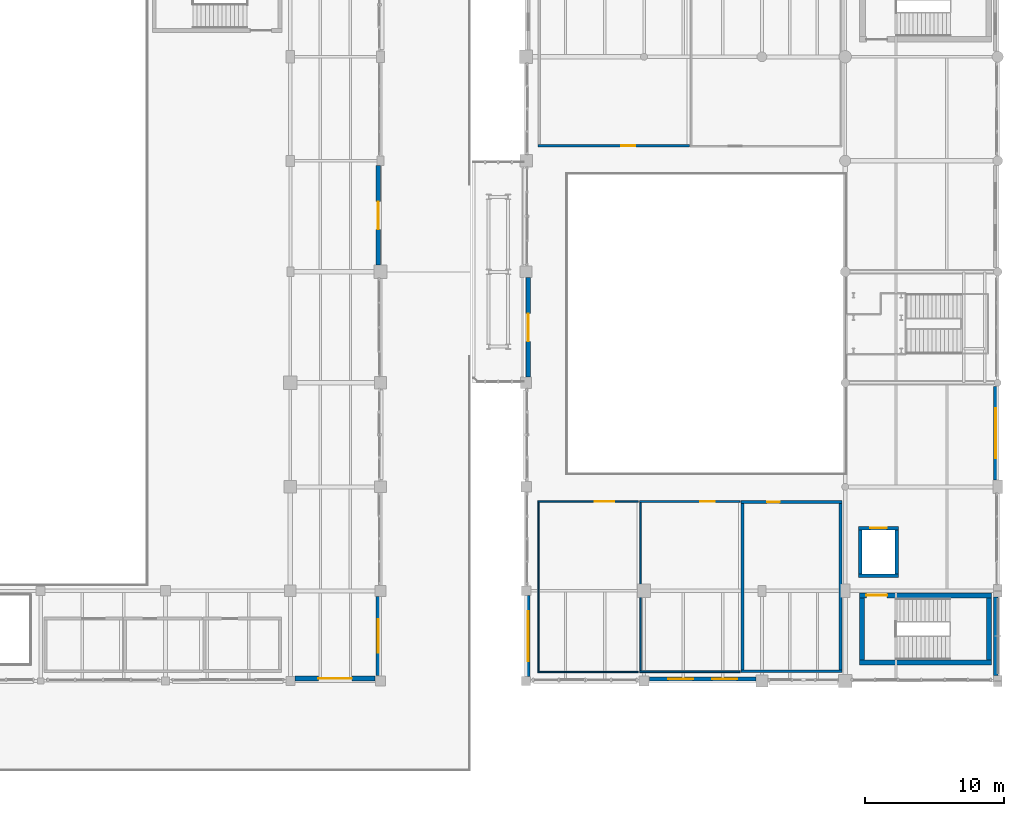
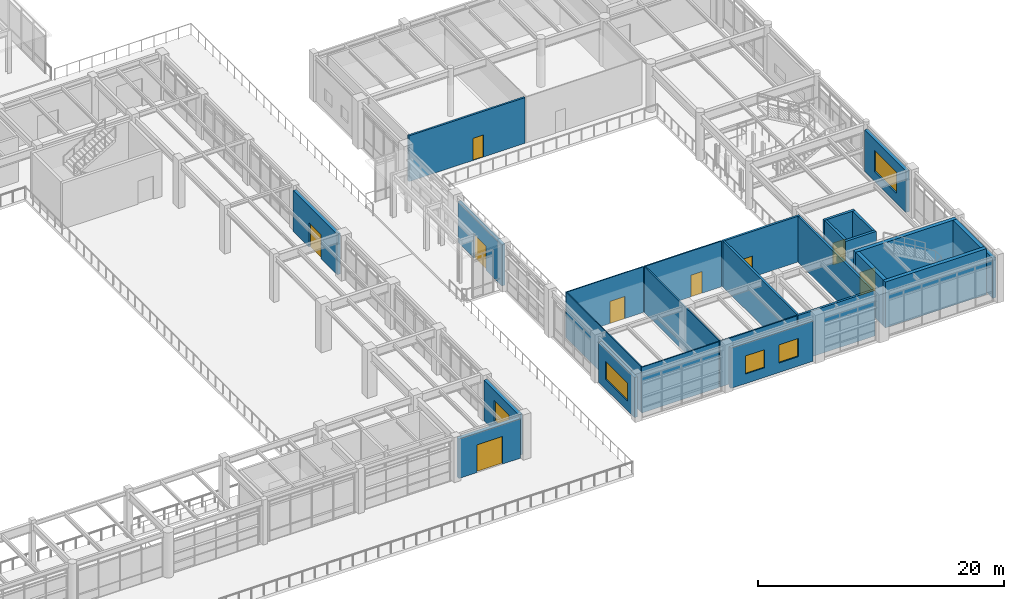
# One storey, part 179 of 200: 27 walls, 9 doors, 5 windows, 14 openings.
"""IFC4 building model written with IfcOpenShell, lengths in metres."""

from ifc_helpers import new_model, si_unit, direction, frame, frame_2d, origin, place, context, subcontext, project, spatial, rectangle, extrude, material, layer, layer_set, type_object, element, fill, save


model = new_model("IFC4")

# Units and contexts
model_context = context("Model", 3, precision=1e-05, world=origin(), true_north=direction((0.0, 1.0)))
body_context = subcontext(model_context, "Body", "Model", "MODEL_VIEW")
ifc_project = project(units=[si_unit("LENGTHUNIT", "METRE"), si_unit("AREAUNIT", "SQUARE_METRE"), si_unit("VOLUMEUNIT", "CUBIC_METRE"), si_unit("PLANEANGLEUNIT", "RADIAN"), si_unit("MASSUNIT", "GRAM", prefix="KILO"), si_unit("THERMODYNAMICTEMPERATUREUNIT", "KELVIN"), si_unit("POWERUNIT", "WATT")], contexts=[model_context])

# Site, building, storey
site_placement = place(None, origin())
site = spatial("IfcSite", under=ifc_project, at=site_placement, CompositionType="ELEMENT")
building_placement = place(site_placement, origin())
building = spatial("IfcBuilding", under=site, at=building_placement, Name="Tepalcoro Natatorium and Aquatics Centre", CompositionType="ELEMENT")
storey_placement = place(building_placement, frame((0.0, 0.0, 5.39990234375)))
storey = spatial("IfcBuildingStorey", under=building, at=storey_placement, Name="L01", CompositionType="ELEMENT", Elevation=5.39990234375)

# Wall, openings, windows
ifc_material_1 = material(Name="Precast Concrete C45/55 (fc 45 MPa)", Category="concrete")
ifc_layer_1 = layer(ifc_material_1, 0.284912109375)
ifc_layer_set_1 = layer_set([ifc_layer_1], Name="Precast Concrete C45/55 (fc 45 MPa)")
wall_type_1 = type_object("IfcWallType", Name="WL_EXT_INSUL_280", PredefinedType="SOLIDWALL", material=ifc_layer_set_1)
wall_1_placement = place(storey_placement, frame((150.87890625, 6.642578125, 0.0), z_axis=(0.0, 0.0, 1.0), x_axis=(1.0, 0.0, 0.0)))
wall_1 = element("IfcWall", 1, at=wall_1_placement, inside=storey, type_object=wall_type_1, Name="V2 L01 S Volcanic Basalt Envelope Wall", PredefinedType="SOLIDWALL", context=body_context, shape_type="SweptSolid", body=[
    extrude(rectangle(XDim=7.692138671875, YDim=0.284912109375, at=frame_2d((3.84619140625, 0.0))), origin(), (0.0, 0.0, 1.0), 3.994140625),
])
opening_1_placement = place(wall_1_placement, frame((1.364013671875, 0.0, 0.949951171875)))
opening_1 = element("IfcOpeningElement", 2, at=opening_1_placement, cuts=wall_1, Name="Opening W0027A", PredefinedType="OPENING", context=body_context, shape_type="SweptSolid", body=[
    extrude(rectangle(XDim=1.800048828125, YDim=1.800048828125, at=frame_2d((0.89990234375, 0.89990234375))), frame((0.0, 0.154296875, 0.0), z_axis=(0.0, -1.0, 0.0), x_axis=(1.0, 0.0, 0.0)), (0.0, 0.0, 1.0), 0.308837890625),
])
opening_2_placement = place(wall_1_placement, frame((4.528076171875, 0.0, 0.949951171875)))
opening_2 = element("IfcOpeningElement", 3, at=opening_2_placement, cuts=wall_1, Name="Opening W0027B", PredefinedType="OPENING", context=body_context, shape_type="SweptSolid", body=[
    extrude(rectangle(XDim=1.800048828125, YDim=1.800048828125, at=frame_2d((0.89990234375, 0.89990234375))), frame((0.0, 0.154296875, 0.0), z_axis=(0.0, -1.0, 0.0), x_axis=(1.0, 0.0, 0.0)), (0.0, 0.0, 1.0), 0.308837890625),
])
ifc_material_2 = material(Name="Solar-Control Bronze Tempered Low-E Double Glazing", Category="glass")
window_type_1 = type_object("IfcWindowType", Name="WN_180x180", PartitioningType="SINGLE_PANEL", PredefinedType="WINDOW", material=ifc_material_2)
window_1_placement = place(opening_1_placement, origin())
window_1 = element("IfcWindow", 4, at=window_1_placement, inside=storey, type_object=window_type_1, Name="Exterior Thermal Window WN_180x180", OverallHeight=1.800048828125, OverallWidth=1.800048828125, PartitioningType="SINGLE_PANEL", PredefinedType="WINDOW", context=body_context, shape_type="SweptSolid", body=[
    extrude(rectangle(XDim=1.800048828125, YDim=1.800048828125, at=frame_2d((0.89990234375, 0.89990234375))), frame((0.0, 0.030029296875, 0.0), z_axis=(0.0, -1.0, 0.0), x_axis=(1.0, 0.0, 0.0)), (0.0, 0.0, 1.0), 0.06005859375),
])
fill(opening_1, window_1)
window_2_placement = place(opening_2_placement, origin())
window_2 = element("IfcWindow", 5, at=window_2_placement, inside=storey, type_object=window_type_1, Name="Exterior Thermal Window WN_180x180", OverallHeight=1.800048828125, OverallWidth=1.800048828125, PartitioningType="SINGLE_PANEL", PredefinedType="WINDOW", context=body_context, shape_type="SweptSolid", body=[
    extrude(rectangle(XDim=1.800048828125, YDim=1.800048828125, at=frame_2d((0.89990234375, 0.89990234375))), frame((0.0, 0.030029296875, 0.0), z_axis=(0.0, -1.0, 0.0), x_axis=(1.0, 0.0, 0.0)), (0.0, 0.0, 1.0), 0.06005859375),
])
fill(opening_2, window_2)

# Wall, opening, window
wall_2_placement = place(storey_placement, frame((142.142578125, 6.8291015625, 0.0), z_axis=(0.0, 0.0, 1.0), x_axis=(0.0, 1.0, 0.0)))
wall_2 = element("IfcWall", 6, at=wall_2_placement, inside=storey, type_object=wall_type_1, Name="V2 L01 W Volcanic Basalt Envelope Wall", PredefinedType="SOLIDWALL", context=body_context, shape_type="SweptSolid", body=[
    extrude(rectangle(XDim=5.81689453125, YDim=0.284912109375, at=frame_2d((2.908447265625, 0.0))), origin(), (0.0, 0.0, 1.0), 3.994140625),
])
opening_3_placement = place(wall_2_placement, frame((1.1083984375, 0.0, 0.949951171875)))
opening_3 = element("IfcOpeningElement", 7, at=opening_3_placement, cuts=wall_2, Name="Opening W0030", PredefinedType="OPENING", context=body_context, shape_type="SweptSolid", body=[
    extrude(rectangle(XDim=3.60009765625, YDim=1.800048828125, at=frame_2d((1.800048828125, 0.89990234375))), frame((0.0, 0.154296875, 0.0), z_axis=(0.0, -1.0, 0.0), x_axis=(1.0, 0.0, 0.0)), (0.0, 0.0, 1.0), 0.308837890625),
])
window_type_2 = type_object("IfcWindowType", Name="WN_360x180", PartitioningType="SINGLE_PANEL", PredefinedType="WINDOW", material=ifc_material_2)
window_3_placement = place(opening_3_placement, origin())
window_3 = element("IfcWindow", 8, at=window_3_placement, inside=storey, type_object=window_type_2, Name="Exterior Thermal Window WN_360x180", OverallHeight=1.800048828125, OverallWidth=3.60009765625, PartitioningType="SINGLE_PANEL", PredefinedType="WINDOW", context=body_context, shape_type="SweptSolid", body=[
    extrude(rectangle(XDim=3.60009765625, YDim=1.800048828125, at=frame_2d((1.800048828125, 0.89990234375))), frame((0.0, 0.030029296875, 0.0), z_axis=(0.0, -1.0, 0.0), x_axis=(1.0, 0.0, 0.0)), (0.0, 0.0, 1.0), 0.06005859375),
])
fill(opening_3, window_3)

ifc_material_3 = material(Name="Jalisco Cantera Rosa Volcanic Tuff Ashlar Masonry", Category="masonry")
ifc_layer_2 = layer(ifc_material_3, 0.320068359375)
ifc_layer_set_2 = layer_set([ifc_layer_2], Name="Jalisco Cantera Rosa Volcanic Tuff Ashlar Masonry")
wall_type_2 = type_object("IfcWallType", Name="WL_EXT_STONE_320", PredefinedType="SOLIDWALL", material=ifc_layer_set_2)
wall_3_placement = place(storey_placement, frame((131.340087890625, 6.87890625, 0.0), z_axis=(0.0, 0.0, 1.0), x_axis=(0.0, 1.0, 0.0)))
wall_3 = element("IfcWall", 9, at=wall_3_placement, inside=storey, type_object=wall_type_2, Name="V1 L01 E Volcanic Basalt Envelope Wall", PredefinedType="SOLIDWALL", context=body_context, shape_type="SweptSolid", body=[
    extrude(rectangle(XDim=5.717041015625, YDim=0.320068359375, at=frame_2d((2.8583984375, 0.0))), origin(), (0.0, 0.0, 1.0), 4.037109375),
])
opening_4_placement = place(wall_3_placement, frame((1.658447265625, 0.0, 0.949951171875)))
opening_4 = element("IfcOpeningElement", 10, at=opening_4_placement, cuts=wall_3, Name="Opening W0014", PredefinedType="OPENING", context=body_context, shape_type="SweptSolid", body=[
    extrude(rectangle(XDim=2.39990234375, YDim=2.10009765625, at=frame_2d((1.199951171875, 1.050048828125))), frame((0.0, 0.171875, 0.0), z_axis=(0.0, -1.0, 0.0), x_axis=(1.0, 0.0, 0.0)), (0.0, 0.0, 1.0), 0.343994140625),
])
window_type_3 = type_object("IfcWindowType", Name="WN_240x210", PartitioningType="SINGLE_PANEL", PredefinedType="WINDOW", material=ifc_material_2)
window_4_placement = place(opening_4_placement, origin())
window_4 = element("IfcWindow", 11, at=window_4_placement, inside=storey, type_object=window_type_3, Name="Exterior Thermal Window WN_240x210", OverallHeight=2.10009765625, OverallWidth=2.39990234375, PartitioningType="SINGLE_PANEL", PredefinedType="WINDOW", context=body_context, shape_type="SweptSolid", body=[
    extrude(rectangle(XDim=2.39990234375, YDim=2.10009765625, at=frame_2d((1.199951171875, 1.050048828125))), frame((0.0, 0.030029296875, 0.0), z_axis=(0.0, -1.0, 0.0), x_axis=(1.0, 0.0, 0.0)), (0.0, 0.0, 1.0), 0.06005859375),
])
fill(opening_4, window_4)

# Wall, opening, door
wall_4_placement = place(storey_placement, frame((131.340087890625, 36.47900390625, 0.0), z_axis=(0.0, 0.0, 1.0), x_axis=(0.0, 1.0, 0.0)))
wall_4 = element("IfcWall", 12, at=wall_4_placement, inside=storey, type_object=wall_type_2, Name="V1 L01 E Volcanic Basalt Envelope Wall", PredefinedType="SOLIDWALL", context=body_context, shape_type="SweptSolid", body=[
    extrude(rectangle(XDim=7.1669921875, YDim=0.320068359375, at=frame_2d((3.58349609375, 0.0))), origin(), (0.0, 0.0, 1.0), 4.037109375),
])
opening_5_placement = place(wall_4_placement, frame((2.58349609375, 0.0, 0.0)))
opening_5 = element("IfcOpeningElement", 13, at=opening_5_placement, cuts=wall_4, Name="Opening ED5016", PredefinedType="OPENING", context=body_context, shape_type="SweptSolid", body=[
    extrude(rectangle(XDim=2.0, YDim=2.39990234375, at=frame_2d((1.0, 1.199951171875))), frame((0.0, 0.171875, 0.0), z_axis=(0.0, -1.0, 0.0), x_axis=(1.0, 0.0, 0.0)), (0.0, 0.0, 1.0), 0.343994140625),
])
ifc_material_4 = material(Name="Bronze-Anodised Extruded Aluminium Alloy EN AW-6063 T6", Category="aluminium")
door_type_1 = type_object("IfcDoorType", Name="DR_200x240_EXT", OperationType="NOTDEFINED", PredefinedType="DOOR", material=ifc_material_4)
door_1_placement = place(opening_5_placement, frame((2.0, 0.0, 0.0), z_axis=(0.0, 0.0, 1.0), x_axis=(-1.0, 0.0, 0.0)))
door_1 = element("IfcDoor", 14, at=door_1_placement, inside=storey, type_object=door_type_1, Name="L01 East Bridge Portal", OperationType="DOUBLE_DOOR_SINGLE_SWING", OverallHeight=2.39990234375, OverallWidth=2.0, PredefinedType="DOOR", context=body_context, shape_type="SweptSolid", body=[
    extrude(rectangle(XDim=2.0, YDim=2.39990234375, at=frame_2d((1.0, 1.199951171875))), frame((0.0, 0.02490234375, 0.0), z_axis=(0.0, -1.0, 0.0), x_axis=(1.0, 0.0, 0.0)), (0.0, 0.0, 1.0), 0.050048828125),
])
fill(opening_5, door_1)

ifc_material_5 = material(Name="Volcanic Recinto Basalt Ashlar Masonry", Category="masonry")
ifc_layer_3 = layer(ifc_material_5, 0.360107421875)
ifc_layer_set_3 = layer_set([ifc_layer_3], Name="Volcanic Recinto Basalt Ashlar Masonry")
wall_type_3 = type_object("IfcWallType", Name="WL_EXT_STONE_350", PredefinedType="SOLIDWALL", material=ifc_layer_set_3)
wall_5_placement = place(storey_placement, frame((125.3291015625, 6.679931640625, 0.0), z_axis=(0.0, 0.0, 1.0), x_axis=(1.0, 0.0, 0.0)))
wall_5 = element("IfcWall", 15, at=wall_5_placement, inside=storey, type_object=wall_type_3, Name="V1 L01 S Volcanic Basalt Envelope Wall", PredefinedType="SOLIDWALL", context=body_context, shape_type="SweptSolid", body=[
    extrude(rectangle(XDim=5.7919921875, YDim=0.360107421875, at=frame_2d((2.89599609375, 0.0))), origin(), (0.0, 0.0, 1.0), 3.9140625),
])
opening_6_placement = place(wall_5_placement, frame((1.68603515625, 0.0, 0.0)))
opening_6 = element("IfcOpeningElement", 16, at=opening_6_placement, cuts=wall_5, Name="Opening ED5010", PredefinedType="OPENING", context=body_context, shape_type="SweptSolid", body=[
    extrude(rectangle(XDim=2.419921875, YDim=2.75, at=frame_2d((1.2099609375, 1.375))), frame((0.0, 0.19189453125, 0.0), z_axis=(0.0, -1.0, 0.0), x_axis=(1.0, 0.0, 0.0)), (0.0, 0.0, 1.0), 0.384033203125),
])
door_type_2 = type_object("IfcDoorType", Name="DR_260x280_SLIDE", OperationType="NOTDEFINED", PredefinedType="DOOR", material=ifc_material_4)
door_2_placement = place(opening_6_placement, frame((2.419921875, 0.0, 0.0), z_axis=(0.0, 0.0, 1.0), x_axis=(-1.0, 0.0, 0.0)))
door_2 = element("IfcDoor", 17, at=door_2_placement, inside=storey, type_object=door_type_2, Name="L01 South Planted Terrace Sliding Door E", OperationType="SLIDING_TO_LEFT", OverallHeight=2.75, OverallWidth=2.419921875, PredefinedType="DOOR", context=body_context, shape_type="SweptSolid", body=[
    extrude(rectangle(XDim=2.419921875, YDim=2.75, at=frame_2d((1.2099609375, 1.375))), frame((0.0, 0.02490234375, 0.0), z_axis=(0.0, -1.0, 0.0), x_axis=(1.0, 0.0, 0.0)), (0.0, 0.0, 1.0), 0.050048828125),
])
fill(opening_6, door_2)

ifc_layer_4 = layer(ifc_material_3, 0.304931640625)
ifc_layer_set_4 = layer_set([ifc_layer_4], Name="Jalisco Cantera Rosa Volcanic Tuff Ashlar Masonry")
wall_type_4 = type_object("IfcWallType", Name="WL_EXT_TERRACOTTA_300", PredefinedType="SOLIDWALL", material=ifc_layer_set_4)
wall_6_placement = place(storey_placement, frame((142.152587890625, 28.404052734375, 0.0), z_axis=(0.0, 0.0, 1.0), x_axis=(0.0, 1.0, 0.0)))
wall_6 = element("IfcWall", 18, at=wall_6_placement, inside=storey, type_object=wall_type_4, Name="V2 L01 W Volcanic Basalt Envelope Wall", PredefinedType="SOLIDWALL", context=body_context, shape_type="SweptSolid", body=[
    extrude(rectangle(XDim=7.1669921875, YDim=0.304931640625, at=frame_2d((3.58349609375, 0.0))), origin(), (0.0, 0.0, 1.0), 4.070068359375),
])
opening_7_placement = place(wall_6_placement, frame((2.58349609375, 0.0, 0.0)))
opening_7 = element("IfcOpeningElement", 19, at=opening_7_placement, cuts=wall_6, Name="Opening ED5024", PredefinedType="OPENING", context=body_context, shape_type="SweptSolid", body=[
    extrude(rectangle(XDim=2.0, YDim=2.39990234375, at=frame_2d((1.0, 1.199951171875))), frame((0.0, 0.16455078125, 0.0), z_axis=(0.0, -1.0, 0.0), x_axis=(1.0, 0.0, 0.0)), (0.0, 0.0, 1.0), 0.328857421875),
])
door_3_placement = place(opening_7_placement, origin())
door_3 = element("IfcDoor", 20, at=door_3_placement, inside=storey, type_object=door_type_1, Name="V2 L01 West Link Portal", OperationType="DOUBLE_DOOR_SINGLE_SWING", OverallHeight=2.39990234375, OverallWidth=2.0, PredefinedType="DOOR", context=body_context, shape_type="SweptSolid", body=[
    extrude(rectangle(XDim=2.0, YDim=2.39990234375, at=frame_2d((1.0, 1.199951171875))), frame((0.0, 0.02490234375, 0.0), z_axis=(0.0, -1.0, 0.0), x_axis=(1.0, 0.0, 0.0)), (0.0, 0.0, 1.0), 0.050048828125),
])
fill(opening_7, door_3)

# Wall
wall_7_placement = place(storey_placement, frame((175.847412109375, 6.904052734375, 0.0), z_axis=(0.0, 0.0, 1.0), x_axis=(0.0, 1.0, 0.0)))
element("IfcWall", 21, at=wall_7_placement, inside=storey, type_object=wall_type_4, Name="V2 L01 E Volcanic Basalt Envelope Wall", PredefinedType="SOLIDWALL", context=body_context, shape_type="SweptSolid", body=[
    extrude(rectangle(XDim=5.641845703125, YDim=0.304931640625, at=frame_2d((2.82080078125, 0.0))), origin(), (0.0, 0.0, 1.0), 3.994140625),
])

# Wall, opening, window
wall_8_placement = place(storey_placement, frame((175.847412109375, 20.97900390625, 0.0), z_axis=(0.0, 0.0, 1.0), x_axis=(0.0, 1.0, 0.0)))
wall_8 = element("IfcWall", 22, at=wall_8_placement, inside=storey, type_object=wall_type_4, Name="V2 L01 E Volcanic Basalt Envelope Wall", PredefinedType="SOLIDWALL", context=body_context, shape_type="SweptSolid", body=[
    extrude(rectangle(XDim=6.76708984375, YDim=0.304931640625, at=frame_2d((3.383544921875, 0.0))), origin(), (0.0, 0.0, 1.0), 4.1171875),
])
opening_8_placement = place(wall_8_placement, frame((1.58349609375, 0.0, 0.949951171875)))
opening_8 = element("IfcOpeningElement", 23, at=opening_8_placement, cuts=wall_8, Name="Opening W0032", PredefinedType="OPENING", context=body_context, shape_type="SweptSolid", body=[
    extrude(rectangle(XDim=3.60009765625, YDim=2.10009765625, at=frame_2d((1.800048828125, 1.050048828125))), frame((0.0, 0.16455078125, 0.0), z_axis=(0.0, -1.0, 0.0), x_axis=(1.0, 0.0, 0.0)), (0.0, 0.0, 1.0), 0.328857421875),
])
window_type_4 = type_object("IfcWindowType", Name="WN_360x210", PartitioningType="SINGLE_PANEL", PredefinedType="WINDOW", material=ifc_material_2)
window_5_placement = place(opening_8_placement, origin())
window_5 = element("IfcWindow", 24, at=window_5_placement, inside=storey, type_object=window_type_4, Name="Exterior Thermal Window WN_360x210", OverallHeight=2.10009765625, OverallWidth=3.60009765625, PartitioningType="SINGLE_PANEL", PredefinedType="WINDOW", context=body_context, shape_type="SweptSolid", body=[
    extrude(rectangle(XDim=3.60009765625, YDim=2.10009765625, at=frame_2d((1.800048828125, 1.050048828125))), frame((0.0, 0.030029296875, 0.0), z_axis=(0.0, -1.0, 0.0), x_axis=(1.0, 0.0, 0.0)), (0.0, 0.0, 1.0), 0.06005859375),
])
fill(opening_8, window_5)

# Wall
ifc_material_6 = material(Name="Moisture-Resistant Acoustic Gypsum Drywall on Cold-Formed Metal Studs")
ifc_layer_5 = layer(ifc_material_6, 0.10009765625)
ifc_layer_set_5 = layer_set([ifc_layer_5], Name="Moisture-Resistant Acoustic Gypsum Drywall on Cold-Formed Metal Studs")
wall_type_5 = type_object("IfcWallType", Name="WL_PART_100", PredefinedType="PARTITIONING", material=ifc_layer_set_5)
wall_9_placement = place(storey_placement, frame((142.840087890625, 7.14990234375, 0.0), z_axis=(0.0, 0.0, 1.0), x_axis=(1.0, 0.0, 0.0)))
element("IfcWall", 25, at=wall_9_placement, inside=storey, type_object=wall_type_5, Name="Diving Spectators Viewing Gallery & Bar Partition S", PredefinedType="PARTITIONING", context=body_context, shape_type="SweptSolid", body=[
    extrude(rectangle(XDim=7.2529296875, YDim=0.10009765625, at=frame_2d((3.62646484375, 0.0))), origin(), (0.0, 0.0, 1.0), 4.545166015625),
])

# Wall, opening, door
wall_10_placement = place(storey_placement, frame((142.840087890625, 19.449951171875, 0.0), z_axis=(0.0, 0.0, 1.0), x_axis=(1.0, 0.0, 0.0)))
wall_10 = element("IfcWall", 26, at=wall_10_placement, inside=storey, type_object=wall_type_5, Name="Diving Spectators Viewing Gallery & Bar Partition N", PredefinedType="PARTITIONING", context=body_context, shape_type="SweptSolid", body=[
    extrude(rectangle(XDim=7.2529296875, YDim=0.10009765625, at=frame_2d((3.62646484375, 0.0))), origin(), (0.0, 0.0, 1.0), 4.545166015625),
])
opening_9_placement = place(wall_10_placement, frame((4.11474609375, 0.0, 0.0)))
opening_9 = element("IfcOpeningElement", 27, at=opening_9_placement, cuts=wall_10, Name="Opening D0125", PredefinedType="OPENING", context=body_context, shape_type="SweptSolid", body=[
    extrude(rectangle(XDim=1.39990234375, YDim=2.199951171875, at=frame_2d((0.699951171875, 1.10009765625))), frame((0.0, 0.06201171875, 0.0), z_axis=(0.0, -1.0, 0.0), x_axis=(1.0, 0.0, 0.0)), (0.0, 0.0, 1.0), 0.1240234375),
])
ifc_material_7 = material(Name="Solid-Core Moisture-Sealed Oak Timber Leaf in Aluminium Frame", Category="wood")
door_type_3 = type_object("IfcDoorType", Name="DR_140x220_TEAM", OperationType="NOTDEFINED", PredefinedType="DOOR", material=ifc_material_7)
door_4_placement = place(opening_9_placement, frame((1.39990234375, 0.0, 0.0), z_axis=(0.0, 0.0, 1.0), x_axis=(-1.0, 0.0, 0.0)))
door_4 = element("IfcDoor", 28, at=door_4_placement, inside=storey, type_object=door_type_3, Name="Diving Spectators Viewing Gallery & Bar Door", OperationType="DOUBLE_DOOR_SINGLE_SWING", OverallHeight=2.199951171875, OverallWidth=1.39990234375, PredefinedType="DOOR", context=body_context, shape_type="SweptSolid", body=[
    extrude(rectangle(XDim=1.39990234375, YDim=2.199951171875, at=frame_2d((0.699951171875, 1.10009765625))), frame((0.0, 0.02490234375, 0.0), z_axis=(0.0, -1.0, 0.0), x_axis=(1.0, 0.0, 0.0)), (0.0, 0.0, 1.0), 0.050048828125),
])
fill(opening_9, door_4)

# Walls
wall_11_placement = place(storey_placement, frame((142.889892578125, 7.199951171875, 0.0), z_axis=(0.0, 0.0, 1.0), x_axis=(0.0, 1.0, 0.0)))
element("IfcWall", 29, at=wall_11_placement, inside=storey, type_object=wall_type_5, Name="Diving Spectators Viewing Gallery & Bar Partition W", PredefinedType="PARTITIONING", context=body_context, shape_type="SweptSolid", body=[
    extrude(rectangle(XDim=12.199951171875, YDim=0.10009765625, at=frame_2d((6.10009765625, 0.0))), origin(), (0.0, 0.0, 1.0), 4.545166015625),
])
ifc_layer_6 = layer(ifc_material_6, 0.125)
ifc_layer_set_6 = layer_set([ifc_layer_6], Name="Moisture-Resistant Acoustic Gypsum Drywall on Cold-Formed Metal Studs")
wall_type_6 = type_object("IfcWallType", Name="WL_PART_125", PredefinedType="PARTITIONING", material=ifc_layer_set_6)
wall_12_placement = place(storey_placement, frame((150.173095703125, 7.16259765625, 0.0), z_axis=(0.0, 0.0, 1.0), x_axis=(1.0, 0.0, 0.0)))
element("IfcWall", 30, at=wall_12_placement, inside=storey, type_object=wall_type_6, Name="Acrobatic Dry-Board Harness & Foam-Pit Studio Partition S", PredefinedType="PARTITIONING", context=body_context, shape_type="SweptSolid", body=[
    extrude(rectangle(XDim=7.25390625, YDim=0.125, at=frame_2d((3.626953125, 0.0))), origin(), (0.0, 0.0, 1.0), 4.545166015625),
])

# Wall, opening, door
wall_13_placement = place(storey_placement, frame((150.173095703125, 19.4375, 0.0), z_axis=(0.0, 0.0, 1.0), x_axis=(1.0, 0.0, 0.0)))
wall_13 = element("IfcWall", 31, at=wall_13_placement, inside=storey, type_object=wall_type_6, Name="Acrobatic Dry-Board Harness & Foam-Pit Studio Partition N", PredefinedType="PARTITIONING", context=body_context, shape_type="SweptSolid", body=[
    extrude(rectangle(XDim=7.25390625, YDim=0.125, at=frame_2d((3.626953125, 0.0))), origin(), (0.0, 0.0, 1.0), 4.545166015625),
])
opening_10_placement = place(wall_13_placement, frame((4.3779296875, 0.0, 0.0)))
opening_10 = element("IfcOpeningElement", 32, at=opening_10_placement, cuts=wall_13, Name="Opening D0126", PredefinedType="OPENING", context=body_context, shape_type="SweptSolid", body=[
    extrude(rectangle(XDim=1.050048828125, YDim=2.14990234375, at=frame_2d((0.52490234375, 1.074951171875))), frame((0.0, 0.074462890625, 0.0), z_axis=(0.0, -1.0, 0.0), x_axis=(1.0, 0.0, 0.0)), (0.0, 0.0, 1.0), 0.14892578125),
])
door_type_4 = type_object("IfcDoorType", Name="DR_105x215_ACC", OperationType="NOTDEFINED", PredefinedType="DOOR", material=ifc_material_7)
door_5_placement = place(opening_10_placement, frame((1.050048828125, 0.0, 0.0), z_axis=(0.0, 0.0, 1.0), x_axis=(-1.0, 0.0, 0.0)))
door_5 = element("IfcDoor", 33, at=door_5_placement, inside=storey, type_object=door_type_4, Name="Acrobatic Dry-Board Harness & Foam-Pit Studio Door", OperationType="SINGLE_SWING_LEFT", OverallHeight=2.14990234375, OverallWidth=1.050048828125, PredefinedType="DOOR", context=body_context, shape_type="SweptSolid", body=[
    extrude(rectangle(XDim=1.050048828125, YDim=2.14990234375, at=frame_2d((0.52490234375, 1.074951171875))), frame((0.0, 0.02490234375, 0.0), z_axis=(0.0, -1.0, 0.0), x_axis=(1.0, 0.0, 0.0)), (0.0, 0.0, 1.0), 0.050048828125),
])
fill(opening_10, door_5)

# Wall
wall_14_placement = place(storey_placement, frame((150.235595703125, 7.22509765625, 0.0), z_axis=(0.0, 0.0, 1.0), x_axis=(0.0, 1.0, 0.0)))
element("IfcWall", 34, at=wall_14_placement, inside=storey, type_object=wall_type_6, Name="Acrobatic Dry-Board Harness & Foam-Pit Studio Partition W", PredefinedType="PARTITIONING", context=body_context, shape_type="SweptSolid", body=[
    extrude(rectangle(XDim=12.14990234375, YDim=0.125, at=frame_2d((6.074951171875, 0.0))), origin(), (0.0, 0.0, 1.0), 4.545166015625),
])

# Wall, opening, door
ifc_layer_7 = layer(ifc_material_6, 0.179931640625)
ifc_layer_set_7 = layer_set([ifc_layer_7], Name="Moisture-Resistant Acoustic Gypsum Drywall on Cold-Formed Metal Studs")
wall_type_7 = type_object("IfcWallType", Name="WL_PART_180_AC", PredefinedType="PARTITIONING", material=ifc_layer_set_7)
wall_15_placement = place(storey_placement, frame((142.840087890625, 45.090087890625, 0.0), z_axis=(0.0, 0.0, 1.0), x_axis=(1.0, 0.0, 0.0)))
wall_15 = element("IfcWall", 35, at=wall_15_placement, inside=storey, type_object=wall_type_7, Name="National Diving Team Video Replay Lounge Partition S", PredefinedType="PARTITIONING", context=body_context, shape_type="SweptSolid", body=[
    extrude(rectangle(XDim=10.919921875, YDim=0.179931640625, at=frame_2d((5.4599609375, 0.0))), origin(), (0.0, 0.0, 1.0), 4.545166015625),
])
opening_11_placement = place(wall_15_placement, frame((6.018310546875, 0.0, 0.0)))
opening_11 = element("IfcOpeningElement", 36, at=opening_11_placement, cuts=wall_15, Name="Opening D0128", PredefinedType="OPENING", context=body_context, shape_type="SweptSolid", body=[
    extrude(rectangle(XDim=1.0, YDim=2.199951171875, at=frame_2d((0.5, 1.10009765625))), frame((0.0, 0.10205078125, 0.0), z_axis=(0.0, -1.0, 0.0), x_axis=(1.0, 0.0, 0.0)), (0.0, 0.0, 1.0), 0.203857421875),
])
ifc_material_8 = material(Name="Galvanised Steel Insulated Acoustic Fire Door Assembly", Category="steel")
door_type_5 = type_object("IfcDoorType", Name="DR_100x220_FD60", OperationType="NOTDEFINED", PredefinedType="DOOR", material=ifc_material_8)
door_6_placement = place(opening_11_placement, origin())
door_6 = element("IfcDoor", 37, at=door_6_placement, inside=storey, type_object=door_type_5, Name="National Diving Team Video Replay Lounge Door", OperationType="SINGLE_SWING_LEFT", OverallHeight=2.199951171875, OverallWidth=1.0, PredefinedType="DOOR", context=body_context, shape_type="SweptSolid", body=[
    extrude(rectangle(XDim=1.0, YDim=2.199951171875, at=frame_2d((0.5, 1.10009765625))), frame((0.0, 0.02490234375, 0.0), z_axis=(0.0, -1.0, 0.0), x_axis=(1.0, 0.0, 0.0)), (0.0, 0.0, 1.0), 0.050048828125),
])
fill(opening_11, door_6)

# Wall
ifc_material_9 = material(Name="Ceramic-Tiled Moisture-Resistant Masonry Blockwork", Category="masonry")
ifc_layer_8 = layer(ifc_material_9, 0.199951171875)
ifc_layer_set_8 = layer_set([ifc_layer_8], Name="Ceramic-Tiled Moisture-Resistant Masonry Blockwork")
wall_type_8 = type_object("IfcWallType", Name="WL_PLUMB_200", PredefinedType="PLUMBINGWALL", material=ifc_layer_set_8)
wall_16_placement = place(storey_placement, frame((157.507080078125, 7.199951171875, 0.0), z_axis=(0.0, 0.0, 1.0), x_axis=(1.0, 0.0, 0.0)))
element("IfcWall", 38, at=wall_16_placement, inside=storey, type_object=wall_type_8, Name="Diving Gallery Male/Female & Accessible WC Partition S", PredefinedType="PLUMBINGWALL", context=body_context, shape_type="SweptSolid", body=[
    extrude(rectangle(XDim=7.2529296875, YDim=0.199951171875, at=frame_2d((3.62646484375, 0.0))), origin(), (0.0, 0.0, 1.0), 4.545166015625),
])

# Wall, opening, door
wall_17_placement = place(storey_placement, frame((157.507080078125, 19.39990234375, 0.0), z_axis=(0.0, 0.0, 1.0), x_axis=(1.0, 0.0, 0.0)))
wall_17 = element("IfcWall", 39, at=wall_17_placement, inside=storey, type_object=wall_type_8, Name="Diving Gallery Male/Female & Accessible WC Partition N", PredefinedType="PLUMBINGWALL", context=body_context, shape_type="SweptSolid", body=[
    extrude(rectangle(XDim=7.2529296875, YDim=0.199951171875, at=frame_2d((3.62646484375, 0.0))), origin(), (0.0, 0.0, 1.0), 4.545166015625),
])
opening_12_placement = place(wall_17_placement, frame((1.86328125, 0.0, 0.0)))
opening_12 = element("IfcOpeningElement", 40, at=opening_12_placement, cuts=wall_17, Name="Opening D0127", PredefinedType="OPENING", context=body_context, shape_type="SweptSolid", body=[
    extrude(rectangle(XDim=0.89990234375, YDim=2.10009765625, at=frame_2d((0.449951171875, 1.050048828125))), frame((0.0, 0.11181640625, 0.0), z_axis=(0.0, -1.0, 0.0), x_axis=(1.0, 0.0, 0.0)), (0.0, 0.0, 1.0), 0.223876953125),
])
door_type_6 = type_object("IfcDoorType", Name="DR_095x215_WC", OperationType="NOTDEFINED", PredefinedType="DOOR", material=ifc_material_7)
door_7_placement = place(opening_12_placement, frame((0.89990234375, 0.0, 0.0), z_axis=(0.0, 0.0, 1.0), x_axis=(-1.0, 0.0, 0.0)))
door_7 = element("IfcDoor", 41, at=door_7_placement, inside=storey, type_object=door_type_6, Name="Diving Gallery Male/Female & Accessible WC Door", OperationType="SINGLE_SWING_RIGHT", OverallHeight=2.10009765625, OverallWidth=0.89990234375, PredefinedType="DOOR", context=body_context, shape_type="SweptSolid", body=[
    extrude(rectangle(XDim=0.89990234375, YDim=2.10009765625, at=frame_2d((0.449951171875, 1.050048828125))), frame((0.0, 0.02490234375, 0.0), z_axis=(0.0, -1.0, 0.0), x_axis=(1.0, 0.0, 0.0)), (0.0, 0.0, 1.0), 0.050048828125),
])
fill(opening_12, door_7)

# Walls
for number, where, z_axis, x_axis, name in (
    (42, (164.659912109375, 7.300048828125, 0.0), (0.0, 0.0, 1.0), (0.0, 1.0, 0.0), "Diving Gallery Male/Female & Accessible WC Partition E"),
    (43, (157.60693359375, 7.300048828125, 0.0), (0.0, 0.0, 1.0), (0.0, 1.0, 0.0), "Diving Gallery Male/Female & Accessible WC Partition W"),
):
    element("IfcWall", number, at=place(storey_placement, frame(where, z_axis=z_axis, x_axis=x_axis)), inside=storey, type_object=wall_type_8, Name=name, PredefinedType="PLUMBINGWALL", context=body_context, shape_type="SweptSolid", body=[
        extrude(rectangle(XDim=12.0, YDim=0.199951171875, at=frame_2d((6.0, 0.0))), origin(), (0.0, 0.0, 1.0), 4.545166015625),
    ])
ifc_material_10 = material(Name="Concrete C40/50 (fc 40 MPa)", Category="concrete")
ifc_layer_9 = layer(ifc_material_10, 0.239990234375)
ifc_layer_set_9 = layer_set([ifc_layer_9], Name="Concrete C40/50 (fc 40 MPa)")
wall_type_9 = type_object("IfcWallType", Name="WL_SHAFT_240", PredefinedType="SOLIDWALL", material=ifc_layer_set_9)
wall_18_placement = place(storey_placement, frame((165.9599609375, 14.080078125, 0.0), z_axis=(0.0, 0.0, 1.0), x_axis=(1.0, 0.0, 0.0)))
element("IfcWall", 44, at=wall_18_placement, inside=storey, type_object=wall_type_9, Name="LF02 Lift Shaft Wall S L01", PredefinedType="SOLIDWALL", context=body_context, shape_type="SweptSolid", body=[
    extrude(rectangle(XDim=2.880126953125, YDim=0.239990234375, at=frame_2d((1.43994140625, 0.0))), origin(), (0.0, 0.0, 1.0), 4.800048828125),
])

# Wall, opening, door
wall_19_placement = place(storey_placement, frame((165.9599609375, 17.52001953125, 0.0), z_axis=(0.0, 0.0, 1.0), x_axis=(1.0, 0.0, 0.0)))
wall_19 = element("IfcWall", 45, at=wall_19_placement, inside=storey, type_object=wall_type_9, Name="LF02 Lift Shaft Wall N L01", PredefinedType="SOLIDWALL", context=body_context, shape_type="SweptSolid", body=[
    extrude(rectangle(XDim=2.880126953125, YDim=0.239990234375, at=frame_2d((1.43994140625, 0.0))), origin(), (0.0, 0.0, 1.0), 4.800048828125),
])
opening_13_placement = place(wall_19_placement, frame((0.840087890625, 0.0, 0.0)))
opening_13 = element("IfcOpeningElement", 46, at=opening_13_placement, cuts=wall_19, Name="Opening LD-LF02-L01", PredefinedType="OPENING", context=body_context, shape_type="SweptSolid", body=[
    extrude(rectangle(XDim=1.199951171875, YDim=2.199951171875, at=frame_2d((0.60009765625, 1.10009765625))), frame((0.0, 0.1318359375, 0.0), z_axis=(0.0, -1.0, 0.0), x_axis=(1.0, 0.0, 0.0)), (0.0, 0.0, 1.0), 0.263916015625),
])
ifc_material_11 = material(Name="Marine-Grade Brushed Stainless Steel AISI 316L", Category="steel")
door_type_7 = type_object("IfcDoorType", Name="DR_120x220_LIFT", OperationType="NOTDEFINED", PredefinedType="USERDEFINED", material=ifc_material_11)
door_8_placement = place(opening_13_placement, origin())
door_8 = element("IfcDoor", 47, at=door_8_placement, inside=storey, type_object=door_type_7, Name="LF02 Lift Landing Sliding Door (L01)", ObjectType="SLIDING LANDING DOOR", OperationType="SLIDING_TO_LEFT", OverallHeight=2.199951171875, OverallWidth=1.199951171875, PredefinedType="USERDEFINED", context=body_context, shape_type="SweptSolid", body=[
    extrude(rectangle(XDim=1.199951171875, YDim=2.199951171875, at=frame_2d((0.60009765625, 1.10009765625))), frame((0.0, 0.02490234375, 0.0), z_axis=(0.0, -1.0, 0.0), x_axis=(1.0, 0.0, 0.0)), (0.0, 0.0, 1.0), 0.050048828125),
])
fill(opening_13, door_8)

# Walls
for number, where, z_axis, x_axis, name in (
    (48, (166.080078125, 14.199951171875, 0.0), (0.0, 0.0, 1.0), (0.0, 1.0, 0.0), "LF02 Lift Shaft Wall W L01"),
    (49, (168.719970703125, 14.199951171875, 0.0), (0.0, 0.0, 1.0), (0.0, 1.0, 0.0), "LF02 Lift Shaft Wall E L01"),
):
    element("IfcWall", number, at=place(storey_placement, frame(where, z_axis=z_axis, x_axis=x_axis)), inside=storey, type_object=wall_type_9, Name=name, PredefinedType="SOLIDWALL", context=body_context, shape_type="SweptSolid", body=[
        extrude(rectangle(XDim=3.199951171875, YDim=0.239990234375, at=frame_2d((1.60009765625, 0.0))), origin(), (0.0, 0.0, 1.0), 4.800048828125),
    ])
ifc_layer_10 = layer(ifc_material_10, 0.35009765625)
ifc_layer_set_10 = layer_set([ifc_layer_10], Name="Concrete C40/50 (fc 40 MPa)")
wall_type_10 = type_object("IfcWallType", Name="WL_SHEAR_350", PredefinedType="SHEAR", material=ifc_layer_set_10)
wall_20_placement = place(storey_placement, frame((166.050048828125, 7.824951171875, 0.0), z_axis=(0.0, 0.0, 1.0), x_axis=(1.0, 0.0, 0.0)))
element("IfcWall", 50, at=wall_20_placement, inside=storey, type_object=wall_type_10, Name="ST03 Core Shear Wall S L01", PredefinedType="SHEAR", context=body_context, shape_type="SweptSolid", body=[
    extrude(rectangle(XDim=9.5, YDim=0.35009765625, at=frame_2d((4.75, 0.0))), origin(), (0.0, 0.0, 1.0), 4.56005859375),
])

# Wall, opening, door
wall_21_placement = place(storey_placement, frame((166.050048828125, 12.675048828125, 0.0), z_axis=(0.0, 0.0, 1.0), x_axis=(1.0, 0.0, 0.0)))
wall_21 = element("IfcWall", 51, at=wall_21_placement, inside=storey, type_object=wall_type_10, Name="ST03 Core Shear Wall N L01", PredefinedType="SHEAR", context=body_context, shape_type="SweptSolid", body=[
    extrude(rectangle(XDim=9.5, YDim=0.35009765625, at=frame_2d((4.75, 0.0))), origin(), (0.0, 0.0, 1.0), 4.56005859375),
])
opening_14_placement = place(wall_21_placement, frame((0.47998046875, 0.0, 0.0)))
opening_14 = element("IfcOpeningElement", 52, at=opening_14_placement, cuts=wall_21, Name="Opening D0013", PredefinedType="OPENING", context=body_context, shape_type="SweptSolid", body=[
    extrude(rectangle(XDim=1.5, YDim=2.300048828125, at=frame_2d((0.75, 1.14990234375))), frame((0.0, 0.18701171875, 0.0), z_axis=(0.0, -1.0, 0.0), x_axis=(1.0, 0.0, 0.0)), (0.0, 0.0, 1.0), 0.3740234375),
])
door_type_8 = type_object("IfcDoorType", Name="DR_150x230_FD60", OperationType="NOTDEFINED", PredefinedType="DOOR", material=ifc_material_8)
door_9_placement = place(opening_14_placement, frame((1.5, 0.0, 0.0), z_axis=(0.0, 0.0, 1.0), x_axis=(-1.0, 0.0, 0.0)))
door_9 = element("IfcDoor", 53, at=door_9_placement, inside=storey, type_object=door_type_8, Name="ST03 Fire Stair Door (L01)", OperationType="DOUBLE_DOOR_SINGLE_SWING", OverallHeight=2.300048828125, OverallWidth=1.5, PredefinedType="DOOR", context=body_context, shape_type="SweptSolid", body=[
    extrude(rectangle(XDim=1.5, YDim=2.300048828125, at=frame_2d((0.75, 1.14990234375))), frame((0.0, 0.02490234375, 0.0), z_axis=(0.0, -1.0, 0.0), x_axis=(1.0, 0.0, 0.0)), (0.0, 0.0, 1.0), 0.050048828125),
])
fill(opening_14, door_9)

# Walls
for number, where, z_axis, x_axis, name in (
    (54, (166.22509765625, 8.0, 0.0), (0.0, 0.0, 1.0), (0.0, 1.0, 0.0), "ST03 Core Shear Wall W L01"),
    (55, (175.375, 8.0, 0.0), (0.0, 0.0, 1.0), (0.0, 1.0, 0.0), "ST03 Core Shear Wall E L01"),
):
    element("IfcWall", number, at=place(storey_placement, frame(where, z_axis=z_axis, x_axis=x_axis)), inside=storey, type_object=wall_type_10, Name=name, PredefinedType="SHEAR", context=body_context, shape_type="SweptSolid", body=[
        extrude(rectangle(XDim=4.5, YDim=0.35009765625, at=frame_2d((2.25, 0.0))), origin(), (0.0, 0.0, 1.0), 4.56005859375),
    ])

save(model, "model.ifc")
